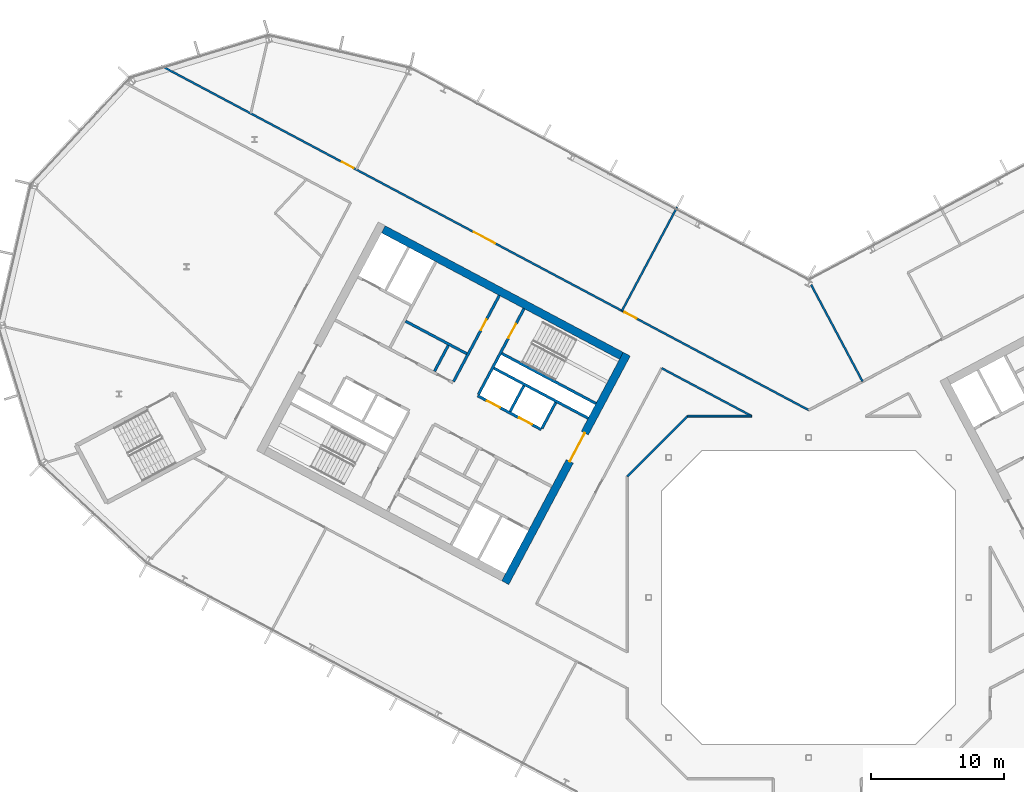
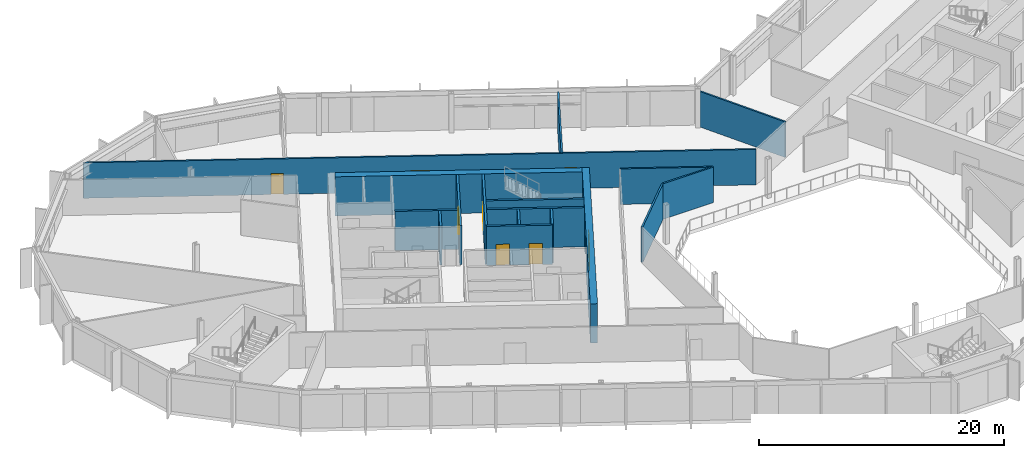
# One storey, part 15 of 27: 17 walls, 8 doors, 8 openings.
"""IFC4 building model written with IfcOpenShell, lengths in metres."""

from ifc_helpers import new_model, si_unit, direction, frame, frame_2d, origin, place, context, subcontext, project, spatial, rectangle, extrude, material, layer, layer_set, type_object, element, fill, save


model = new_model("IFC4")

# Units and contexts
model_context = context("Model", 3, precision=1e-05, world=origin(), true_north=direction((0.0, 1.0)))
body_context = subcontext(model_context, "Body", "Model", "MODEL_VIEW")
ifc_project = project(units=[si_unit("LENGTHUNIT", "METRE"), si_unit("AREAUNIT", "SQUARE_METRE"), si_unit("VOLUMEUNIT", "CUBIC_METRE"), si_unit("PLANEANGLEUNIT", "RADIAN"), si_unit("MASSUNIT", "GRAM", prefix="KILO")], contexts=[model_context])

# Site, building, storey
site_placement = place(None, origin())
site = spatial("IfcSite", under=ifc_project, at=site_placement, CompositionType="ELEMENT")
building_placement = place(site_placement, origin())
building = spatial("IfcBuilding", under=site, at=building_placement, Name="Cormorant Relay Tower", CompositionType="ELEMENT")
storey_placement = place(building_placement, frame((0.0, 0.0, 240.300048828125)))
storey = spatial("IfcBuildingStorey", under=building, at=storey_placement, Name="L53", CompositionType="ELEMENT", Elevation=240.300048828125)

# Walls
ifc_material_1 = material(Name="Concrete 40 MPa", Category="concrete")
ifc_layer_1 = layer(ifc_material_1, 0.199951171875)
ifc_layer_set_1 = layer_set([ifc_layer_1], Name="Core internal wall 200")
wall_type_1 = type_object("IfcWallType", Name="Core internal wall 200", PredefinedType="SOLIDWALL", material=ifc_layer_set_1)
for number, where, z_axis, x_axis, name in (
    (1, (-21.34375, 15.87890625, 0.0), (0.0, 0.0, 1.0), (-0.4694473164, -0.882960484464, 0.0), "L53 core A shaft and room wall"),
    (2, (-27.01220703125, 18.892822265625, 0.0), (0.0, 0.0, 1.0), (-0.4694473164, -0.882960484464, 0.0), "L53 core A shaft and room wall"),
):
    element("IfcWall", number, at=place(storey_placement, frame(where, z_axis=z_axis, x_axis=x_axis)), inside=storey, type_object=wall_type_1, Name=name, PredefinedType="SOLIDWALL", context=body_context, shape_type="SweptSolid", body=[
        extrude(rectangle(XDim=2.199951171875, YDim=0.199951171875, at=frame_2d((1.10009765625, 0.0))), origin(), (0.0, 0.0, 1.0), 3.89990234375),
    ])
ifc_material_2 = material(Name="Concrete 50 MPa", Category="concrete")
ifc_layer_2 = layer(ifc_material_2, 0.199951171875)
ifc_layer_set_2 = layer_set([ifc_layer_2], Name="Core shaft wall 200")
wall_type_2 = type_object("IfcWallType", Name="Core shaft wall 200", PredefinedType="SHEAR", material=ifc_layer_set_2)
wall_1_placement = place(storey_placement, frame((-18.959716796875, 14.611328125, 0.0), z_axis=(0.0, 0.0, 1.0), x_axis=(-0.4694473164, -0.882960484464, 0.0)))
element("IfcWall", 3, at=wall_1_placement, inside=storey, type_object=wall_type_2, Name="L53 core A shaft wall", PredefinedType="SHEAR", context=body_context, shape_type="SweptSolid", body=[
    extrude(rectangle(XDim=2.199951171875, YDim=0.199951171875, at=frame_2d((1.10009765625, 0.0))), origin(), (0.0, 0.0, 1.0), 3.89990234375),
])

# Wall, opening, door
wall_2_placement = place(storey_placement, frame((-21.333251953125, 21.6494140625, 0.0), z_axis=(0.0, 0.0, 1.0), x_axis=(-0.469494272526, -0.882935517501, 0.0)))
wall_2 = element("IfcWall", 4, at=wall_2_placement, inside=storey, type_object=wall_type_2, Name="L53 core A shaft wall", PredefinedType="SHEAR", context=body_context, shape_type="SweptSolid", body=[
    extrude(rectangle(XDim=7.2998046875, YDim=0.199951171875, at=frame_2d((3.64990234375, 0.0))), origin(), (0.0, 0.0, 1.0), 3.89990234375),
])
opening_1_placement = place(wall_2_placement, frame((1.300048828125, 0.0, 0.0)))
opening_1 = element("IfcOpeningElement", 5, at=opening_1_placement, cuts=wall_2, Name="Opening CDB-038", PredefinedType="OPENING", context=body_context, shape_type="SweptSolid", body=[
    extrude(rectangle(XDim=1.199951171875, YDim=2.10009765625, at=frame_2d((0.60009765625, 1.050048828125))), frame((0.0, 0.10986328125, 0.0), z_axis=(0.0, -1.0, 0.0), x_axis=(1.0, 0.0, 0.0)), (0.0, 0.0, 1.0), 0.219970703125),
])
ifc_material_3 = material(Name="Steel fire door", Category="steel")
door_type_1 = type_object("IfcDoorType", Name="Core stair door 1200x2100", OperationType="SINGLE_SWING_LEFT", PredefinedType="DOOR", material=ifc_material_3)
door_1_placement = place(opening_1_placement, origin())
door_1 = element("IfcDoor", 6, at=door_1_placement, inside=storey, type_object=door_type_1, Name="Core stair door 1200x2100", OperationType="SINGLE_SWING_RIGHT", OverallHeight=2.10009765625, OverallWidth=1.199951171875, PredefinedType="DOOR", context=body_context, shape_type="SweptSolid", body=[
    extrude(rectangle(XDim=1.199951171875, YDim=2.10009765625, at=frame_2d((0.60009765625, 1.050048828125))), frame((0.0, 0.02490234375, 0.0), z_axis=(0.0, -1.0, 0.0), x_axis=(1.0, 0.0, 0.0)), (0.0, 0.0, 1.0), 0.050048828125),
])
fill(opening_1, door_1)

wall_3_placement = place(storey_placement, frame((-23.1875, 22.635498046875, 0.0), z_axis=(0.0, 0.0, 1.0), x_axis=(-0.469454336211, -0.882956752176, 0.0)))
wall_3 = element("IfcWall", 7, at=wall_3_placement, inside=storey, type_object=wall_type_2, Name="L53 core A shaft wall", PredefinedType="SHEAR", context=body_context, shape_type="SweptSolid", body=[
    extrude(rectangle(XDim=7.300048828125, YDim=0.199951171875, at=frame_2d((3.64990234375, 0.0))), origin(), (0.0, 0.0, 1.0), 3.89990234375),
])
opening_2_placement = place(wall_3_placement, frame((2.050048828125, 0.0, 0.0)))
opening_2 = element("IfcOpeningElement", 8, at=opening_2_placement, cuts=wall_3, Name="Opening CDD-292", PredefinedType="OPENING", context=body_context, shape_type="SweptSolid", body=[
    extrude(rectangle(XDim=0.89990234375, YDim=2.10009765625, at=frame_2d((0.449951171875, 1.050048828125))), frame((0.0, 0.10986328125, 0.0), z_axis=(0.0, -1.0, 0.0), x_axis=(1.0, 0.0, 0.0)), (0.0, 0.0, 1.0), 0.219970703125),
])
ifc_material_4 = material(Name="Steel fire door", Category="steel")
door_type_2 = type_object("IfcDoorType", Name="Core room door 900x2100", OperationType="SINGLE_SWING_LEFT", PredefinedType="DOOR", material=ifc_material_4)
door_2_placement = place(opening_2_placement, origin())
door_2 = element("IfcDoor", 9, at=door_2_placement, inside=storey, type_object=door_type_2, Name="Core room door 900x2100", OperationType="SINGLE_SWING_LEFT", OverallHeight=2.10009765625, OverallWidth=0.89990234375, PredefinedType="DOOR", context=body_context, shape_type="SweptSolid", body=[
    extrude(rectangle(XDim=0.89990234375, YDim=2.10009765625, at=frame_2d((0.449951171875, 1.050048828125))), frame((0.0, 0.02490234375, 0.0), z_axis=(0.0, -1.0, 0.0), x_axis=(1.0, 0.0, 0.0)), (0.0, 0.0, 1.0), 0.050048828125),
])
fill(opening_2, door_2)

# Walls
wall_4_placement = place(storey_placement, frame((-15.94189453125, 14.53564453125, 0.0), z_axis=(0.0, 0.0, 1.0), x_axis=(-0.882946947542, 0.469472776449, 0.0)))
element("IfcWall", 10, at=wall_4_placement, inside=storey, type_object=wall_type_2, Name="L53 core A shaft wall", PredefinedType="SHEAR", context=body_context, shape_type="SweptSolid", body=[
    extrude(rectangle(XDim=8.000244140625, YDim=0.199951171875, at=frame_2d((4.0, 0.0))), origin(), (0.0, 0.0, 1.0), 3.89990234375),
])
wall_5_placement = place(storey_placement, frame((-16.52880859375, 13.43212890625, 0.0), z_axis=(0.0, 0.0, 1.0), x_axis=(-0.88295287151, 0.469461634952, 0.0)))
element("IfcWall", 11, at=wall_5_placement, inside=storey, type_object=wall_type_2, Name="L53 core A shaft wall", PredefinedType="SHEAR", context=body_context, shape_type="SweptSolid", body=[
    extrude(rectangle(XDim=7.999755859375, YDim=0.199951171875, at=frame_2d((4.0, 0.0))), origin(), (0.0, 0.0, 1.0), 3.89990234375),
])
wall_6_placement = place(storey_placement, frame((-25.623046875, 18.267578125, 0.0), z_axis=(0.0, 0.0, 1.0), x_axis=(-0.882953967957, 0.469459572775, 0.0)))
element("IfcWall", 12, at=wall_6_placement, inside=storey, type_object=wall_type_2, Name="L53 core A shaft wall", PredefinedType="SHEAR", context=body_context, shape_type="SweptSolid", body=[
    extrude(rectangle(XDim=5.199951171875, YDim=0.199951171875, at=frame_2d((2.60009765625, 0.0))), origin(), (0.0, 0.0, 1.0), 3.89990234375),
])

# Wall, openings, doors
wall_7_placement = place(storey_placement, frame((-20.03955078125, 12.58056640625, 0.0), z_axis=(0.0, 0.0, 1.0), x_axis=(-0.882942972946, 0.469480251476, 0.0)))
wall_7 = element("IfcWall", 13, at=wall_7_placement, inside=storey, type_object=wall_type_2, Name="L53 core A shaft wall", PredefinedType="SHEAR", context=body_context, shape_type="SweptSolid", body=[
    extrude(rectangle(XDim=5.39990234375, YDim=0.199951171875, at=frame_2d((2.699951171875, 0.0))), origin(), (0.0, 0.0, 1.0), 3.89990234375),
])
opening_3_placement = place(wall_7_placement, frame((0.800048828125, 0.0, 0.0)))
opening_3 = element("IfcOpeningElement", 14, at=opening_3_placement, cuts=wall_7, Name="Opening LD1-061", PredefinedType="OPENING", context=body_context, shape_type="SweptSolid", body=[
    extrude(rectangle(XDim=1.10009765625, YDim=2.10009765625, at=frame_2d((0.550048828125, 1.050048828125))), frame((0.0, 0.10986328125, 0.0), z_axis=(0.0, -1.0, 0.0), x_axis=(1.0, 0.0, 0.0)), (0.0, 0.0, 1.0), 0.219970703125),
])
opening_4_placement = place(wall_7_placement, frame((3.5, 0.0, 0.0)))
opening_4 = element("IfcOpeningElement", 15, at=opening_4_placement, cuts=wall_7, Name="Opening LD1-062", PredefinedType="OPENING", context=body_context, shape_type="SweptSolid", body=[
    extrude(rectangle(XDim=1.10009765625, YDim=2.10009765625, at=frame_2d((0.550048828125, 1.050048828125))), frame((0.0, 0.10986328125, 0.0), z_axis=(0.0, -1.0, 0.0), x_axis=(1.0, 0.0, 0.0)), (0.0, 0.0, 1.0), 0.219970703125),
])
ifc_material_5 = material(Name="Stainless steel 316", Category="steel")
door_type_3 = type_object("IfcDoorType", Name="Lift landing door 1100x2100", OperationType="DOUBLE_DOOR_SLIDING", PredefinedType="DOOR", material=ifc_material_5)
door_3_placement = place(opening_3_placement, origin())
door_3 = element("IfcDoor", 16, at=door_3_placement, inside=storey, type_object=door_type_3, Name="MR3 landing door", OperationType="DOUBLE_DOOR_SLIDING", OverallHeight=2.10009765625, OverallWidth=1.10009765625, PredefinedType="DOOR", context=body_context, shape_type="SweptSolid", body=[
    extrude(rectangle(XDim=1.10009765625, YDim=2.10009765625, at=frame_2d((0.550048828125, 1.050048828125))), frame((0.0, 0.02490234375, 0.0), z_axis=(0.0, -1.0, 0.0), x_axis=(1.0, 0.0, 0.0)), (0.0, 0.0, 1.0), 0.050048828125),
])
fill(opening_3, door_3)
door_4_placement = place(opening_4_placement, origin())
door_4 = element("IfcDoor", 17, at=door_4_placement, inside=storey, type_object=door_type_3, Name="MR4 landing door", OperationType="DOUBLE_DOOR_SLIDING", OverallHeight=2.10009765625, OverallWidth=1.10009765625, PredefinedType="DOOR", context=body_context, shape_type="SweptSolid", body=[
    extrude(rectangle(XDim=1.10009765625, YDim=2.10009765625, at=frame_2d((0.550048828125, 1.050048828125))), frame((0.0, 0.02490234375, 0.0), z_axis=(0.0, -1.0, 0.0), x_axis=(1.0, 0.0, 0.0)), (0.0, 0.0, 1.0), 0.050048828125),
])
fill(opening_4, door_4)

# Wall, opening, door
ifc_material_6 = material(Name="Concrete 50 MPa", Category="concrete")
ifc_layer_3 = layer(ifc_material_6, 0.60009765625)
ifc_layer_set_3 = layer_set([ifc_layer_3], Name="Core wall 600")
wall_type_3 = type_object("IfcWallType", Name="Core wall 600", PredefinedType="SHEAR", material=ifc_layer_set_3)
wall_8_placement = place(storey_placement, frame((-13.634765625, 18.235595703125, 0.0), z_axis=(0.0, 0.0, 1.0), x_axis=(-0.469478769487, -0.88294376095, 0.0)))
wall_8 = element("IfcWall", 18, at=wall_8_placement, inside=storey, type_object=wall_type_3, Name="L53 core A wall", PredefinedType="SHEAR", context=body_context, shape_type="SweptSolid", body=[
    extrude(rectangle(XDim=19.400146484375, YDim=0.60009765625, at=frame_2d((9.7001953125, 0.0))), origin(), (0.0, 0.0, 1.0), 3.89990234375),
])
opening_5_placement = place(wall_8_placement, frame((6.699951171875, 0.0, 0.0)))
opening_5 = element("IfcOpeningElement", 19, at=opening_5_placement, cuts=wall_8, Name="Opening CDA-040", PredefinedType="OPENING", context=body_context, shape_type="SweptSolid", body=[
    extrude(rectangle(XDim=2.39990234375, YDim=2.39990234375, at=frame_2d((1.199951171875, 1.199951171875))), frame((0.0, 0.31005859375, 0.0), z_axis=(0.0, -1.0, 0.0), x_axis=(1.0, 0.0, 0.0)), (0.0, 0.0, 1.0), 0.6201171875),
])
ifc_material_7 = material(Name="Steel fire door", Category="steel")
door_type_4 = type_object("IfcDoorType", Name="Core lobby door 2400x2400", OperationType="DOUBLE_DOOR_SINGLE_SWING", PredefinedType="DOOR", material=ifc_material_7)
door_5_placement = place(opening_5_placement, frame((2.39990234375, 0.0, 0.0), z_axis=(0.0, 0.0, 1.0), x_axis=(-1.0, 0.0, 0.0)))
door_5 = element("IfcDoor", 20, at=door_5_placement, inside=storey, type_object=door_type_4, Name="Core lobby door 2400x2400", OperationType="DOUBLE_DOOR_SINGLE_SWING", OverallHeight=2.39990234375, OverallWidth=2.39990234375, PredefinedType="DOOR", context=body_context, shape_type="SweptSolid", body=[
    extrude(rectangle(XDim=2.39990234375, YDim=2.39990234375, at=frame_2d((1.199951171875, 1.199951171875))), frame((0.0, 0.02490234375, 0.0), z_axis=(0.0, -1.0, 0.0), x_axis=(1.0, 0.0, 0.0)), (0.0, 0.0, 1.0), 0.050048828125),
])
fill(opening_5, door_5)

# Wall
wall_9_placement = place(storey_placement, frame((-14.04052734375, 18.111572265625, 0.0), z_axis=(0.0, 0.0, 1.0), x_axis=(-0.882947755831, 0.46947125628, 0.0)))
element("IfcWall", 21, at=wall_9_placement, inside=storey, type_object=wall_type_3, Name="L53 core A wall", PredefinedType="SHEAR", context=body_context, shape_type="SweptSolid", body=[
    extrude(rectangle(XDim=20.2001953125, YDim=0.60009765625, at=frame_2d((10.10009765625, 0.0))), origin(), (0.0, 0.0, 1.0), 3.89990234375),
])

# Wall, openings, doors
ifc_material_8 = material(Name="Gypsum board fire partition")
ifc_layer_4 = layer(ifc_material_8, 0.14990234375)
ifc_layer_set_4 = layer_set([ifc_layer_4], Name="Corridor partition 150 EI 60")
wall_type_4 = type_object("IfcWallType", Name="Corridor partition 150 EI 60", PredefinedType="PARTITIONING", material=ifc_layer_set_4)
wall_10_placement = place(storey_placement, frame((-48.541015625, 39.85400390625, 0.0), z_axis=(0.0, 0.0, 1.0), x_axis=(0.882945008423, -0.469476423372, 0.0)))
wall_10 = element("IfcWall", 22, at=wall_10_placement, inside=storey, type_object=wall_type_4, Name="wall/L53/part/010", PredefinedType="PARTITIONING", context=body_context, shape_type="SweptSolid", body=[
    extrude(rectangle(XDim=54.976318359375, YDim=0.14990234375, at=frame_2d((27.48828125, 0.0))), origin(), (0.0, 0.0, 1.0), 3.5400390625),
])
opening_6_placement = place(wall_10_placement, frame((39.35009765625, 0.0, 0.0)))
opening_6 = element("IfcOpeningElement", 23, at=opening_6_placement, cuts=wall_10, Name="Opening DS-134", PredefinedType="OPENING", context=body_context, shape_type="SweptSolid", body=[
    extrude(rectangle(XDim=1.0, YDim=2.10009765625, at=frame_2d((0.5, 1.050048828125))), frame((0.0, 0.0849609375, 0.0), z_axis=(0.0, -1.0, 0.0), x_axis=(1.0, 0.0, 0.0)), (0.0, 0.0, 1.0), 0.169921875),
])
opening_7_placement = place(wall_10_placement, frame((26.550048828125, 0.0, 0.0)))
opening_7 = element("IfcOpeningElement", 24, at=opening_7_placement, cuts=wall_10, Name="Opening DD-024", PredefinedType="OPENING", context=body_context, shape_type="SweptSolid", body=[
    extrude(rectangle(XDim=1.800048828125, YDim=2.10009765625, at=frame_2d((0.89990234375, 1.050048828125))), frame((0.0, 0.0849609375, 0.0), z_axis=(0.0, -1.0, 0.0), x_axis=(1.0, 0.0, 0.0)), (0.0, 0.0, 1.0), 0.169921875),
])
opening_8_placement = place(wall_10_placement, frame((15.35009765625, 0.0, 0.0)))
opening_8 = element("IfcOpeningElement", 25, at=opening_8_placement, cuts=wall_10, Name="Opening DS-120", PredefinedType="OPENING", context=body_context, shape_type="SweptSolid", body=[
    extrude(rectangle(XDim=1.0, YDim=2.10009765625, at=frame_2d((0.5, 1.050048828125))), frame((0.0, 0.0849609375, 0.0), z_axis=(0.0, -1.0, 0.0), x_axis=(1.0, 0.0, 0.0)), (0.0, 0.0, 1.0), 0.169921875),
])
ifc_material_9 = material(Name="Timber door leaf", Category="wood")
door_type_5 = type_object("IfcDoorType", Name="Suite door 1000x2100", OperationType="SINGLE_SWING_LEFT", PredefinedType="DOOR", material=ifc_material_9)
door_6_placement = place(opening_6_placement, origin())
door_6 = element("IfcDoor", 26, at=door_6_placement, inside=storey, type_object=door_type_5, Name="door/L53/015", OperationType="SINGLE_SWING_LEFT", OverallHeight=2.10009765625, OverallWidth=1.0, PredefinedType="DOOR", context=body_context, shape_type="SweptSolid", body=[
    extrude(rectangle(XDim=1.0, YDim=2.10009765625, at=frame_2d((0.5, 1.050048828125))), frame((0.0, 0.02490234375, 0.0), z_axis=(0.0, -1.0, 0.0), x_axis=(1.0, 0.0, 0.0)), (0.0, 0.0, 1.0), 0.050048828125),
])
fill(opening_6, door_6)
door_7_placement = place(opening_8_placement, origin())
door_7 = element("IfcDoor", 27, at=door_7_placement, inside=storey, type_object=door_type_5, Name="door/L53/017", OperationType="SINGLE_SWING_RIGHT", OverallHeight=2.10009765625, OverallWidth=1.0, PredefinedType="DOOR", context=body_context, shape_type="SweptSolid", body=[
    extrude(rectangle(XDim=1.0, YDim=2.10009765625, at=frame_2d((0.5, 1.050048828125))), frame((0.0, 0.02490234375, 0.0), z_axis=(0.0, -1.0, 0.0), x_axis=(1.0, 0.0, 0.0)), (0.0, 0.0, 1.0), 0.050048828125),
])
fill(opening_8, door_7)
ifc_material_10 = material(Name="Timber door leaf", Category="wood")
door_type_6 = type_object("IfcDoorType", Name="Suite double door 1800x2100", OperationType="DOUBLE_DOOR_SINGLE_SWING", PredefinedType="DOOR", material=ifc_material_10)
door_8_placement = place(opening_7_placement, origin())
door_8 = element("IfcDoor", 28, at=door_8_placement, inside=storey, type_object=door_type_6, Name="door/L53/016", OperationType="DOUBLE_DOOR_SINGLE_SWING", OverallHeight=2.10009765625, OverallWidth=1.800048828125, PredefinedType="DOOR", context=body_context, shape_type="SweptSolid", body=[
    extrude(rectangle(XDim=1.800048828125, YDim=2.10009765625, at=frame_2d((0.89990234375, 1.050048828125))), frame((0.0, 0.02490234375, 0.0), z_axis=(0.0, -1.0, 0.0), x_axis=(1.0, 0.0, 0.0)), (0.0, 0.0, 1.0), 0.050048828125),
])
fill(opening_7, door_8)

# Walls
wall_11_placement = place(storey_placement, frame((-11.02197265625, 17.18603515625, 0.0), z_axis=(0.0, 0.0, 1.0), x_axis=(0.882967947403, -0.469433279453, 0.0)))
element("IfcWall", 29, at=wall_11_placement, inside=storey, type_object=wall_type_4, Name="wall/L53/part/046", PredefinedType="PARTITIONING", context=body_context, shape_type="SweptSolid", body=[
    extrude(rectangle(XDim=7.638916015625, YDim=0.14990234375, at=frame_2d((3.8193359375, 0.0))), origin(), (0.0, 0.0, 1.0), 3.5400390625),
])
wall_12_placement = place(storey_placement, frame((-4.277099609375, 13.60009765625, 0.0), z_axis=(0.0, 0.0, 1.0), x_axis=(-1.0, 0.0, 0.0)))
element("IfcWall", 30, at=wall_12_placement, inside=storey, type_object=wall_type_4, Name="wall/L53/part/047", PredefinedType="PARTITIONING", context=body_context, shape_type="SweptSolid", body=[
    extrude(rectangle(XDim=4.7998046875, YDim=0.14990234375, at=frame_2d((2.39990234375, 0.0))), origin(), (0.0, 0.0, 1.0), 3.5400390625),
])
wall_13_placement = place(storey_placement, frame((-9.076904296875, 13.60009765625, 0.0), z_axis=(0.0, 0.0, 1.0), x_axis=(-0.707106781187, -0.707106781187, 0.0)))
element("IfcWall", 31, at=wall_13_placement, inside=storey, type_object=wall_type_4, Name="wall/L53/part/048", PredefinedType="PARTITIONING", context=body_context, shape_type="SweptSolid", body=[
    extrude(rectangle(XDim=6.396728515625, YDim=0.14990234375, at=frame_2d((3.1982421875, 0.0))), origin(), (0.0, 0.0, 1.0), 3.5400390625),
])
ifc_material_11 = material(Name="Gypsum board partition")
ifc_layer_5 = layer(ifc_material_11, 0.14990234375)
ifc_layer_set_5 = layer_set([ifc_layer_5], Name="Tenant partition 150")
wall_type_5 = type_object("IfcWallType", Name="Tenant partition 150", PredefinedType="PARTITIONING", material=ifc_layer_set_5)
wall_14_placement = place(storey_placement, frame((-9.864013671875, 29.2548828125, 0.0), z_axis=(0.0, 0.0, 1.0), x_axis=(-0.469457446168, -0.882955098653, 0.0)))
element("IfcWall", 32, at=wall_14_placement, inside=storey, type_object=wall_type_5, Name="wall/L53/part/018", PredefinedType="PARTITIONING", context=body_context, shape_type="SweptSolid", body=[
    extrude(rectangle(XDim=8.7998046875, YDim=0.14990234375, at=frame_2d((4.39990234375, 0.0))), origin(), (0.0, 0.0, 1.0), 3.5400390625),
])
wall_15_placement = place(storey_placement, frame((0.18310546875, 23.43994140625, 0.0), z_axis=(0.0, 0.0, 1.0), x_axis=(0.469529135479, -0.882916978507, 0.0)))
element("IfcWall", 33, at=wall_15_placement, inside=storey, type_object=wall_type_5, Name="wall/L53/part/022", PredefinedType="PARTITIONING", context=body_context, shape_type="SweptSolid", body=[
    extrude(rectangle(XDim=8.210205078125, YDim=0.14990234375, at=frame_2d((4.10498046875, 0.0))), origin(), (0.0, 0.0, 1.0), 3.5400390625),
])

save(model, "model.ifc")
